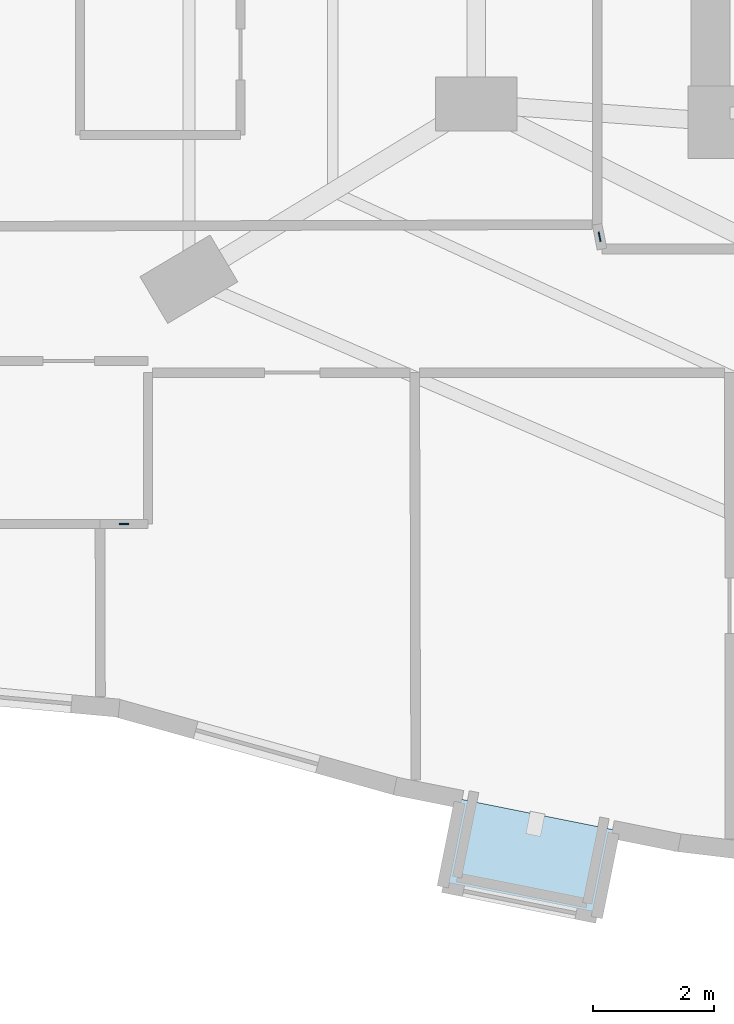
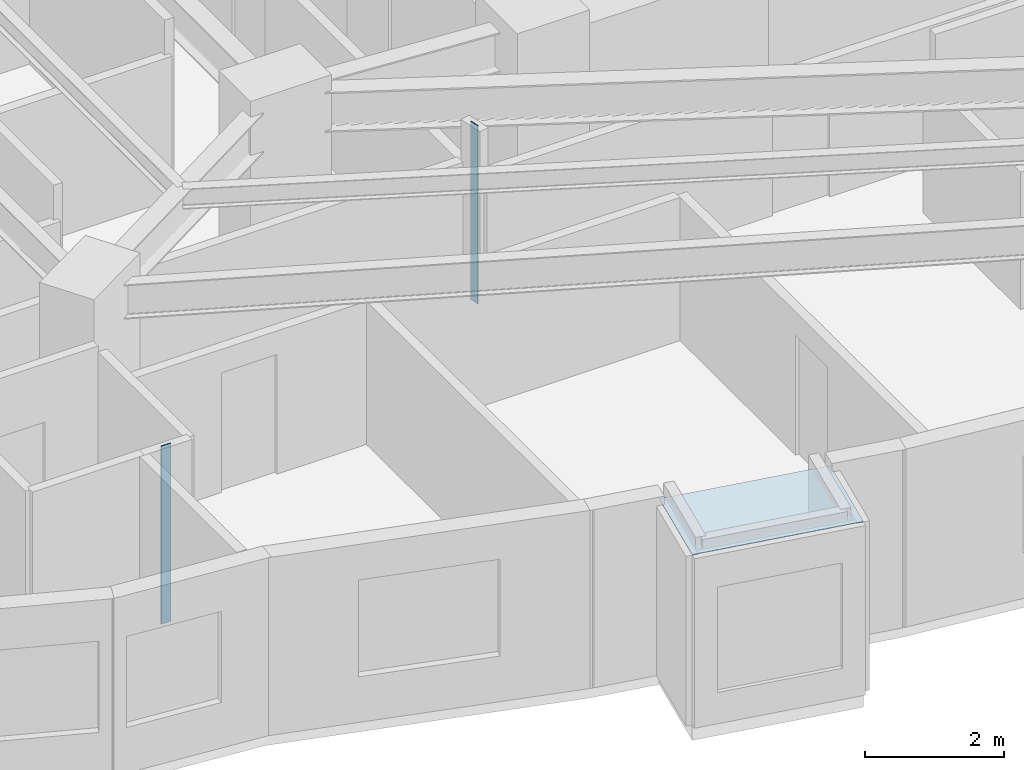
# One storey, part 2 of 15: 3 plates.
"""IFC4 building model written with IfcOpenShell, lengths in metres."""

from ifc_helpers import new_model, si_unit, direction, frame, origin, origin_2d, place, context, subcontext, project, spatial, polyline, rectangle, outline, extrude, material, layer, layer_set, type_object, element, save


model = new_model("IFC4")

# Units and contexts
model_context = context("Model", 3, precision=1e-05, world=origin(), true_north=direction((0.0, 1.0)))
body_context = subcontext(model_context, "Body", "Model", "MODEL_VIEW")
ifc_project = project(units=[si_unit("LENGTHUNIT", "METRE"), si_unit("AREAUNIT", "SQUARE_METRE"), si_unit("VOLUMEUNIT", "CUBIC_METRE"), si_unit("PLANEANGLEUNIT", "RADIAN"), si_unit("MASSUNIT", "GRAM", prefix="KILO")], contexts=[model_context])

# Site, building, storey
site_placement = place(None, origin())
site = spatial("IfcSite", under=ifc_project, at=site_placement, CompositionType="ELEMENT")
building_placement = place(site_placement, origin())
building = spatial("IfcBuilding", under=site, at=building_placement, Name="Miruveldt Soraemaru", CompositionType="ELEMENT")
storey_placement = place(building_placement, frame((0.0, 0.0, 83.60009765625)))
storey = spatial("IfcBuildingStorey", under=building, at=storey_placement, Name="L23", CompositionType="ELEMENT", Elevation=83.60009765625)

# Plates
ifc_material_1 = material(Name="Anodised aluminium EN AW-6063 T6", Category="aluminium")
ifc_layer_1 = layer(ifc_material_1, 0.02001953125, Name="Anodised aluminium EN AW-6063 T6", Category="aluminium")
ifc_layer_set_1 = layer_set([ifc_layer_1], Name="Anodised aluminium EN AW-6063 T6")
plate_type_1 = type_object("IfcPlateType", Name="PLT-PART-TRIM", PredefinedType="SHEET", material=ifc_layer_set_1)
for number, where, z_axis, x_axis, name in (
    (1, (25.568603515625, 28.85009765625, 0.0), (0.0, 0.0, 1.0), (1.0, 0.0, 0.0), "L23 Partition Step Corner Trim Plate 064"),
    (2, (33.43994140625, 33.603515625, 0.0), (0.0, 0.0, 1.0), (-0.192864490548, 0.981225401366, 0.0), "L23 Partition Step Corner Trim Plate 001"),
):
    element("IfcPlate", number, at=place(storey_placement, frame(where, z_axis=z_axis, x_axis=x_axis)), inside=storey, type_object=plate_type_1, Name=name, PredefinedType="SHEET", context=body_context, shape_type="SweptSolid", body=[
        extrude(rectangle(XDim=0.159912109375, YDim=0.02001953125, at=origin_2d()), origin(), (0.0, 0.0, 1.0), 3.125),
    ])
ifc_material_2 = material(Name="Standing-seam titanium-zinc sheet", Category="aluminium")
ifc_layer_2 = layer(ifc_material_2, 0.011962890625, Name="Standing-seam titanium-zinc sheet", Category="aluminium")
ifc_layer_set_2 = layer_set([ifc_layer_2], Name="Standing-seam titanium-zinc sheet")
plate_type_2 = type_object("IfcPlateType", Name="PLT-ZINC-12", PredefinedType="SHEET", material=ifc_layer_set_2)
plate_placement = place(storey_placement, frame((0.0, 0.0, 2.974853515625)))
element("IfcPlate", 3, at=plate_placement, inside=storey, type_object=plate_type_2, Name="L23 Bay Window Zinc Hood Sheet 1", PredefinedType="SHEET", context=body_context, shape_type="SweptSolid", body=[
    extrude(outline(polyline([(31.134521484375, 24.29833984375), (33.68408203125, 23.78857421875), (33.393798828125, 22.33740234375), (30.84423828125, 22.84716796875), (31.134521484375, 24.29833984375)])), origin(), (0.0, 0.0, 1.0), 0.011962890625),
])

save(model, "model.ifc")
